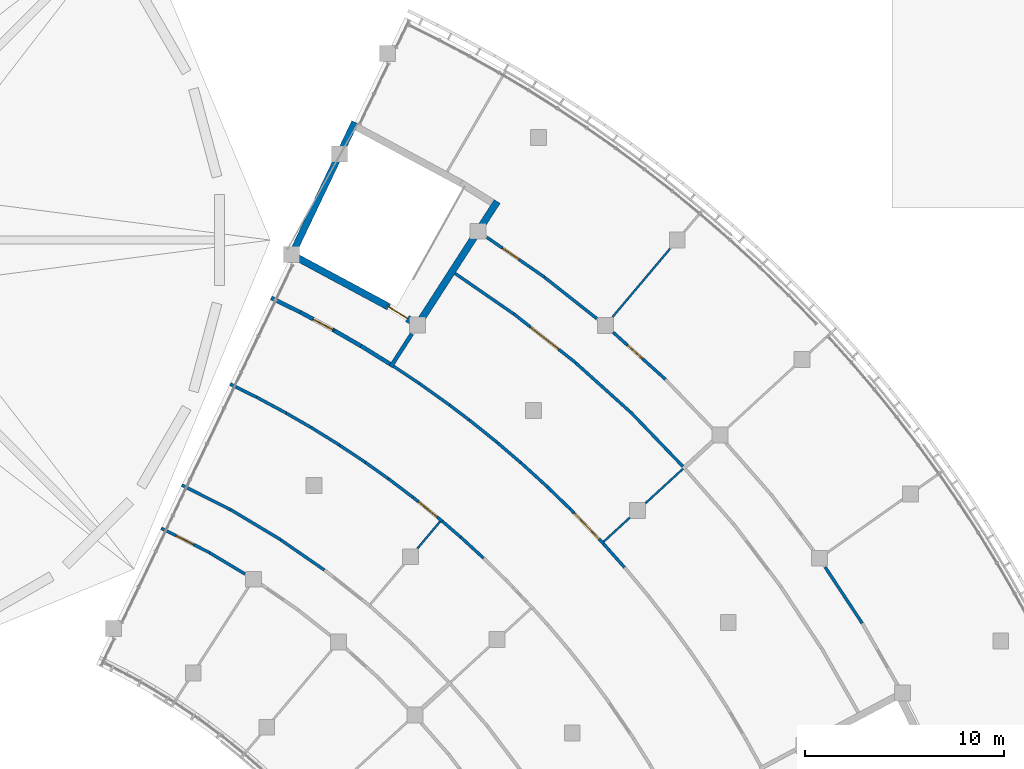
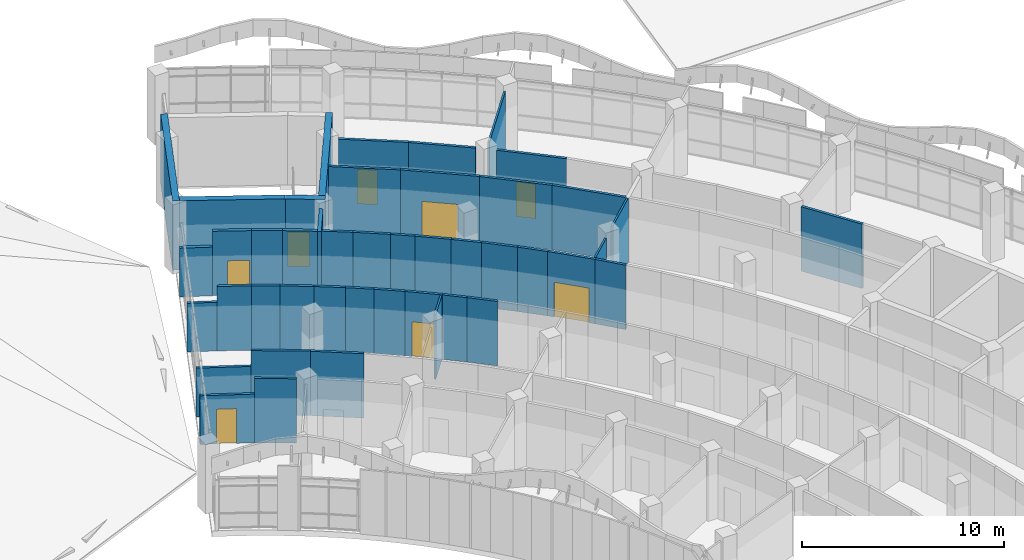
# One storey, part 68 of 137: 45 walls, 8 doors, 8 openings.
"""IFC4 building model written with IfcOpenShell, lengths in metres."""

from ifc_helpers import new_model, si_unit, direction, frame, frame_2d, origin, place, context, subcontext, project, spatial, rectangle, extrude, material, layer, layer_set, type_object, element, fill, save


model = new_model("IFC4")

# Units and contexts
model_context = context("Model", 3, precision=1e-05, world=origin(), true_north=direction((0.0, 1.0)))
body_context = subcontext(model_context, "Body", "Model", "MODEL_VIEW")
ifc_project = project(units=[si_unit("LENGTHUNIT", "METRE"), si_unit("AREAUNIT", "SQUARE_METRE"), si_unit("VOLUMEUNIT", "CUBIC_METRE"), si_unit("PLANEANGLEUNIT", "RADIAN"), si_unit("MASSUNIT", "GRAM", prefix="KILO")], contexts=[model_context])

# Site, building, storey
site_placement = place(None, origin())
site = spatial("IfcSite", under=ifc_project, at=site_placement, CompositionType="ELEMENT")
building_placement = place(site_placement, origin())
building = spatial("IfcBuilding", under=site, at=building_placement, Name="Bougainvillea Quay General Hospital", CompositionType="ELEMENT")
storey_placement = place(building_placement, frame((0.0, 0.0, 16.800048828125)))
storey = spatial("IfcBuildingStorey", under=building, at=storey_placement, Name="L03", CompositionType="ELEMENT", Elevation=16.800048828125)

# Walls
ifc_material_1 = material(Name="Gypsum board partition on steel studs", Category="steel")
ifc_layer_1 = layer(ifc_material_1, 0.10009765625)
ifc_layer_set_1 = layer_set([ifc_layer_1], Name="Gypsum board partition on steel studs")
wall_type_1 = type_object("IfcWallType", Name="Partition 100 Gypsum board partition", PredefinedType="PARTITIONING", material=ifc_layer_set_1)
wall_1_placement = place(storey_placement, frame((149.322998046875, 58.848388671875, 0.0), z_axis=(0.0, 0.0, 1.0), x_axis=(0.736546569723, 0.676386835051, 0.0)))
element("IfcWall", 1, at=wall_1_placement, inside=storey, type_object=wall_type_1, Name="Partition 100 mm", PredefinedType="PARTITIONING", context=body_context, shape_type="SweptSolid", body=[
    extrude(rectangle(XDim=1.78564453125, YDim=0.10009765625, at=frame_2d((0.892822265625, 0.0))), origin(), (0.0, 0.0, 1.0), 3.89990234375),
])
wall_2_placement = place(storey_placement, frame((151.4306640625, 60.783935546875, 0.0), z_axis=(0.0, 0.0, 1.0), x_axis=(0.736546419356, 0.676386998791, 0.0)))
element("IfcWall", 2, at=wall_2_placement, inside=storey, type_object=wall_type_1, Name="Partition 100 mm", PredefinedType="PARTITIONING", context=body_context, shape_type="SweptSolid", body=[
    extrude(rectangle(XDim=2.552734375, YDim=0.10009765625, at=frame_2d((1.2763671875, 0.0))), origin(), (0.0, 0.0, 1.0), 3.89990234375),
])
ifc_layer_2 = layer(ifc_material_1, 0.10009765625)
ifc_layer_set_2 = layer_set([ifc_layer_2], Name="Gypsum board partition on steel studs")
wall_type_2 = type_object("IfcWallType", Name="Partition 100 Gypsum board partition EI 30", PredefinedType="PARTITIONING", material=ifc_layer_set_2)
wall_3_placement = place(storey_placement, frame((149.775390625, 70.144287109375, 0.0), z_axis=(0.0, 0.0, 1.0), x_axis=(0.644456563642, 0.764640920681, 0.0)))
element("IfcWall", 3, at=wall_3_placement, inside=storey, type_object=wall_type_2, Name="Partition 100 mm EI 30", PredefinedType="PARTITIONING", context=body_context, shape_type="SweptSolid", body=[
    extrude(rectangle(XDim=4.47509765625, YDim=0.10009765625, at=frame_2d((2.237548828125, 0.0))), origin(), (0.0, 0.0, 1.0), 3.89990234375),
])
wall_4_placement = place(storey_placement, frame((139.98046875, 58.522216796875, 0.0), z_axis=(0.0, 0.0, 1.0), x_axis=(0.644495278204, 0.7646082895, 0.0)))
element("IfcWall", 4, at=wall_4_placement, inside=storey, type_object=wall_type_2, Name="Partition 100 mm EI 30", PredefinedType="PARTITIONING", context=body_context, shape_type="SweptSolid", body=[
    extrude(rectangle(XDim=1.756103515625, YDim=0.10009765625, at=frame_2d((0.8779296875, 0.0))), origin(), (0.0, 0.0, 1.0), 3.89990234375),
])
ifc_material_2 = material(Name="Gypsum board partition on steel studs, insulated", Category="steel")
ifc_layer_3 = layer(ifc_material_2, 0.14990234375)
ifc_layer_set_3 = layer_set([ifc_layer_3], Name="Gypsum board partition on steel studs, insulated")
wall_type_3 = type_object("IfcWallType", Name="Partition 150 Gypsum board partition EI 30", PredefinedType="PARTITIONING", material=ifc_layer_set_3)
wall_5_placement = place(storey_placement, frame((160.44775390625, 57.575439453125, 0.0), z_axis=(0.0, 0.0, 1.0), x_axis=(0.550814058929, -0.834627984485, 0.0)))
element("IfcWall", 5, at=wall_5_placement, inside=storey, type_object=wall_type_3, Name="Partition 150 mm EI 30", PredefinedType="PARTITIONING", context=body_context, shape_type="SweptSolid", body=[
    extrude(rectangle(XDim=3.38330078125, YDim=0.14990234375, at=frame_2d((1.691650390625, 0.0))), origin(), (0.0, 0.0, 1.0), 3.89990234375),
])

# Wall, opening, door
wall_6_placement = place(storey_placement, frame((149.79736328125, 69.36865234375, 0.0), z_axis=(0.0, 0.0, 1.0), x_axis=(0.743767308426, -0.668438621652, 0.0)))
wall_6 = element("IfcWall", 6, at=wall_6_placement, inside=storey, type_object=wall_type_3, Name="Partition 150 mm EI 30", PredefinedType="PARTITIONING", context=body_context, shape_type="SweptSolid", body=[
    extrude(rectangle(XDim=3.5390625, YDim=0.14990234375, at=frame_2d((1.76953125, 0.0))), origin(), (0.0, 0.0, 1.0), 3.89990234375),
])
opening_1_placement = place(wall_6_placement, frame((0.973876953125, 0.0, 0.0)))
opening_1 = element("IfcOpeningElement", 7, at=opening_1_placement, cuts=wall_6, Name="Opening L03.183", PredefinedType="OPENING", context=body_context, shape_type="SweptSolid", body=[
    extrude(rectangle(XDim=1.0, YDim=2.10009765625, at=frame_2d((0.5, 1.050048828125))), frame((0.0, 0.0849609375, 0.0), z_axis=(0.0, -1.0, 0.0), x_axis=(1.0, 0.0, 0.0)), (0.0, 0.0, 1.0), 0.169921875),
])
ifc_material_3 = material(Name="Solid-core timber door leaf in steel frame", Category="steel")
door_type_1 = type_object("IfcDoorType", Name="Single leaf door 1000x2100 FD30S", OperationType="NOTDEFINED", PredefinedType="DOOR", material=ifc_material_3)
door_1_placement = place(opening_1_placement, origin())
door_1 = element("IfcDoor", 8, at=door_1_placement, inside=storey, type_object=door_type_1, Name="DT15 L03.183", OperationType="SINGLE_SWING_LEFT", OverallHeight=2.10009765625, OverallWidth=1.0, PredefinedType="DOOR", context=body_context, shape_type="SweptSolid", body=[
    extrude(rectangle(XDim=1.0, YDim=2.10009765625, at=frame_2d((0.5, 1.050048828125))), frame((0.0, 0.02490234375, 0.0), z_axis=(0.0, -1.0, 0.0), x_axis=(1.0, 0.0, 0.0)), (0.0, 0.0, 1.0), 0.050048828125),
])
fill(opening_1, door_1)

wall_7_placement = place(storey_placement, frame((143.455810546875, 74.138671875, 0.0), z_axis=(0.0, 0.0, 1.0), x_axis=(0.822701427784, -0.568473711549, 0.0)))
wall_7 = element("IfcWall", 9, at=wall_7_placement, inside=storey, type_object=wall_type_3, Name="Partition 150 mm EI 30", PredefinedType="PARTITIONING", context=body_context, shape_type="SweptSolid", body=[
    extrude(rectangle(XDim=3.5185546875, YDim=0.14990234375, at=frame_2d((1.75927734375, 0.0))), origin(), (0.0, 0.0, 1.0), 3.89990234375),
])
opening_2_placement = place(wall_7_placement, frame((0.953369140625, 0.0, 0.0)))
opening_2 = element("IfcOpeningElement", 10, at=opening_2_placement, cuts=wall_7, Name="Opening L03.182", PredefinedType="OPENING", context=body_context, shape_type="SweptSolid", body=[
    extrude(rectangle(XDim=1.0, YDim=2.10009765625, at=frame_2d((0.5, 1.050048828125))), frame((0.0, 0.0849609375, 0.0), z_axis=(0.0, -1.0, 0.0), x_axis=(1.0, 0.0, 0.0)), (0.0, 0.0, 1.0), 0.169921875),
])
door_2_placement = place(opening_2_placement, origin())
door_2 = element("IfcDoor", 11, at=door_2_placement, inside=storey, type_object=door_type_1, Name="DT15 L03.182", OperationType="SINGLE_SWING_LEFT", OverallHeight=2.10009765625, OverallWidth=1.0, PredefinedType="DOOR", context=body_context, shape_type="SweptSolid", body=[
    extrude(rectangle(XDim=1.0, YDim=2.10009765625, at=frame_2d((0.5, 1.050048828125))), frame((0.0, 0.02490234375, 0.0), z_axis=(0.0, -1.0, 0.0), x_axis=(1.0, 0.0, 0.0)), (0.0, 0.0, 1.0), 0.050048828125),
])
fill(opening_2, door_2)

# Wall
wall_8_placement = place(storey_placement, frame((146.34423828125, 72.13720703125, 0.0), z_axis=(0.0, 0.0, 1.0), x_axis=(0.784832511111, -0.619707938874, 0.0)))
element("IfcWall", 12, at=wall_8_placement, inside=storey, type_object=wall_type_3, Name="Partition 150 mm EI 30", PredefinedType="PARTITIONING", context=body_context, shape_type="SweptSolid", body=[
    extrude(rectangle(XDim=3.357666015625, YDim=0.14990234375, at=frame_2d((1.6787109375, 0.0))), origin(), (0.0, 0.0, 1.0), 3.89990234375),
])

# Wall, opening, door
wall_9_placement = place(storey_placement, frame((144.802978515625, 70.297607421875, 0.0), z_axis=(0.0, 0.0, 1.0), x_axis=(0.784917321289, -0.619600515445, 0.0)))
wall_9 = element("IfcWall", 13, at=wall_9_placement, inside=storey, type_object=wall_type_3, Name="Partition 150 mm EI 30", PredefinedType="PARTITIONING", context=body_context, shape_type="SweptSolid", body=[
    extrude(rectangle(XDim=3.978515625, YDim=0.14990234375, at=frame_2d((1.9892578125, 0.0))), origin(), (0.0, 0.0, 1.0), 3.89990234375),
])
opening_3_placement = place(wall_9_placement, frame((1.089111328125, 0.0, 0.0)))
opening_3 = element("IfcOpeningElement", 14, at=opening_3_placement, cuts=wall_9, Name="Opening L03.145", PredefinedType="OPENING", context=body_context, shape_type="SweptSolid", body=[
    extrude(rectangle(XDim=1.800048828125, YDim=2.10009765625, at=frame_2d((0.89990234375, 1.050048828125))), frame((0.0, 0.0849609375, 0.0), z_axis=(0.0, -1.0, 0.0), x_axis=(1.0, 0.0, 0.0)), (0.0, 0.0, 1.0), 0.169921875),
])
ifc_material_4 = material(Name="Solid-core timber door leaves in steel frame", Category="steel")
door_type_2 = type_object("IfcDoorType", Name="Double leaf door 1800x2100", OperationType="DOUBLE_DOOR_SINGLE_SWING", PredefinedType="DOOR", material=ifc_material_4)
door_3_placement = place(opening_3_placement, origin())
door_3 = element("IfcDoor", 15, at=door_3_placement, inside=storey, type_object=door_type_2, Name="DT08 L03.145", OperationType="DOUBLE_DOOR_SINGLE_SWING", OverallHeight=2.10009765625, OverallWidth=1.800048828125, PredefinedType="DOOR", context=body_context, shape_type="SweptSolid", body=[
    extrude(rectangle(XDim=1.800048828125, YDim=2.10009765625, at=frame_2d((0.89990234375, 1.050048828125))), frame((0.0, 0.02490234375, 0.0), z_axis=(0.0, -1.0, 0.0), x_axis=(1.0, 0.0, 0.0)), (0.0, 0.0, 1.0), 0.050048828125),
])
fill(opening_3, door_3)

# Walls
wall_10_placement = place(storey_placement, frame((141.85888671875, 72.326171875, 0.0), z_axis=(0.0, 0.0, 1.0), x_axis=(0.822680463987, -0.568504049391, 0.0)))
element("IfcWall", 16, at=wall_10_placement, inside=storey, type_object=wall_type_3, Name="Partition 150 mm EI 30", PredefinedType="PARTITIONING", context=body_context, shape_type="SweptSolid", body=[
    extrude(rectangle(XDim=3.579833984375, YDim=0.14990234375, at=frame_2d((1.7900390625, 0.0))), origin(), (0.0, 0.0, 1.0), 3.89990234375),
])
wall_11_placement = place(storey_placement, frame((150.660888671875, 65.3740234375, 0.0), z_axis=(0.0, 0.0, 1.0), x_axis=(0.693403633232, -0.720549374728, 0.0)))
element("IfcWall", 17, at=wall_11_placement, inside=storey, type_object=wall_type_3, Name="Partition 150 mm EI 30", PredefinedType="PARTITIONING", context=body_context, shape_type="SweptSolid", body=[
    extrude(rectangle(XDim=3.804443359375, YDim=0.14990234375, at=frame_2d((1.90234375, 0.0))), origin(), (0.0, 0.0, 1.0), 3.89990234375),
])
wall_12_placement = place(storey_placement, frame((147.91943359375, 67.831787109375, 0.0), z_axis=(0.0, 0.0, 1.0), x_axis=(0.743593711798, -0.668631731056, 0.0)))
element("IfcWall", 18, at=wall_12_placement, inside=storey, type_object=wall_type_3, Name="Partition 150 mm EI 30", PredefinedType="PARTITIONING", context=body_context, shape_type="SweptSolid", body=[
    extrude(rectangle(XDim=3.686767578125, YDim=0.14990234375, at=frame_2d((1.84326171875, 0.0))), origin(), (0.0, 0.0, 1.0), 3.89990234375),
])
wall_13_placement = place(storey_placement, frame((130.57177734375, 60.463623046875, 0.0), z_axis=(0.0, 0.0, 1.0), x_axis=(0.857369075188, -0.514702116676, 0.0)))
element("IfcWall", 19, at=wall_13_placement, inside=storey, type_object=wall_type_3, Name="Partition 150 mm EI 30", PredefinedType="PARTITIONING", context=body_context, shape_type="SweptSolid", body=[
    extrude(rectangle(XDim=2.95751953125, YDim=0.14990234375, at=frame_2d((1.478759765625, 0.0))), origin(), (0.0, 0.0, 1.0), 3.89990234375),
])
wall_14_placement = place(storey_placement, frame((133.100830078125, 58.93994140625, 0.0), z_axis=(0.0, 0.0, 1.0), x_axis=(0.822620530797, -0.568590768754, 0.0)))
element("IfcWall", 20, at=wall_14_placement, inside=storey, type_object=wall_type_3, Name="Partition 150 mm EI 30", PredefinedType="PARTITIONING", context=body_context, shape_type="SweptSolid", body=[
    extrude(rectangle(XDim=2.666015625, YDim=0.14990234375, at=frame_2d((1.3330078125, 0.0))), origin(), (0.0, 0.0, 1.0), 3.89990234375),
])
wall_15_placement = place(storey_placement, frame((128.132080078125, 61.69189453125, 0.0), z_axis=(0.0, 0.0, 1.0), x_axis=(0.892275475515, -0.45149139061, 0.0)))
element("IfcWall", 21, at=wall_15_placement, inside=storey, type_object=wall_type_3, Name="Partition 150 mm EI 30", PredefinedType="PARTITIONING", context=body_context, shape_type="SweptSolid", body=[
    extrude(rectangle(XDim=2.736083984375, YDim=0.14990234375, at=frame_2d((1.3681640625, 0.0))), origin(), (0.0, 0.0, 1.0), 2.94677734375),
])

# Wall, opening, door
wall_16_placement = place(storey_placement, frame((127.09912109375, 59.527099609375, 0.0), z_axis=(0.0, 0.0, 1.0), x_axis=(0.892287657908, -0.451467313928, 0.0)))
wall_16 = element("IfcWall", 22, at=wall_16_placement, inside=storey, type_object=wall_type_3, Name="Partition 150 mm EI 30", PredefinedType="PARTITIONING", context=body_context, shape_type="SweptSolid", body=[
    extrude(rectangle(XDim=2.728759765625, YDim=0.14990234375, at=frame_2d((1.3642578125, 0.0))), origin(), (0.0, 0.0, 1.0), 2.94677734375),
])
opening_4_placement = place(wall_16_placement, frame((0.826904296875, 0.0, 0.0)))
opening_4 = element("IfcOpeningElement", 23, at=opening_4_placement, cuts=wall_16, Name="Opening L03.188", PredefinedType="OPENING", context=body_context, shape_type="SweptSolid", body=[
    extrude(rectangle(XDim=1.0, YDim=2.10009765625, at=frame_2d((0.5, 1.050048828125))), frame((0.0, 0.0849609375, 0.0), z_axis=(0.0, -1.0, 0.0), x_axis=(1.0, 0.0, 0.0)), (0.0, 0.0, 1.0), 0.169921875),
])
door_4_placement = place(opening_4_placement, frame((1.0, 0.0, 0.0), z_axis=(0.0, 0.0, 1.0), x_axis=(-1.0, 0.0, 0.0)))
door_4 = element("IfcDoor", 24, at=door_4_placement, inside=storey, type_object=door_type_1, Name="DT15 L03.188", OperationType="SINGLE_SWING_RIGHT", OverallHeight=2.10009765625, OverallWidth=1.0, PredefinedType="DOOR", context=body_context, shape_type="SweptSolid", body=[
    extrude(rectangle(XDim=1.0, YDim=2.10009765625, at=frame_2d((0.5, 1.050048828125))), frame((0.0, 0.02490234375, 0.0), z_axis=(0.0, -1.0, 0.0), x_axis=(1.0, 0.0, 0.0)), (0.0, 0.0, 1.0), 0.050048828125),
])
fill(opening_4, door_4)

# Wall
wall_17_placement = place(storey_placement, frame((129.52685546875, 58.29296875, 0.0), z_axis=(0.0, 0.0, 1.0), x_axis=(0.8573370195, -0.514755509922, 0.0)))
element("IfcWall", 25, at=wall_17_placement, inside=storey, type_object=wall_type_3, Name="Partition 150 mm EI 30", PredefinedType="PARTITIONING", context=body_context, shape_type="SweptSolid", body=[
    extrude(rectangle(XDim=2.072998046875, YDim=0.14990234375, at=frame_2d((1.03662109375, 0.0))), origin(), (0.0, 0.0, 1.0), 3.89990234375),
])

# Wall, opening, door
wall_18_placement = place(storey_placement, frame((147.614990234375, 60.521240234375, 0.0), z_axis=(0.0, 0.0, 1.0), x_axis=(0.691827849504, -0.722062481127, 0.0)))
wall_18 = element("IfcWall", 26, at=wall_18_placement, inside=storey, type_object=wall_type_3, Name="Partition 150 mm EI 30", PredefinedType="PARTITIONING", context=body_context, shape_type="SweptSolid", body=[
    extrude(rectangle(XDim=2.462890625, YDim=0.14990234375, at=frame_2d((1.2314453125, 0.0))), origin(), (0.0, 0.0, 1.0), 3.89990234375),
])
opening_5_placement = place(wall_18_placement, frame((0.331298828125, 0.0, 0.0)))
opening_5 = element("IfcOpeningElement", 27, at=opening_5_placement, cuts=wall_18, Name="Opening L03.159", PredefinedType="OPENING", context=body_context, shape_type="SweptSolid", body=[
    extrude(rectangle(XDim=1.800048828125, YDim=2.10009765625, at=frame_2d((0.89990234375, 1.050048828125))), frame((0.0, 0.0849609375, 0.0), z_axis=(0.0, -1.0, 0.0), x_axis=(1.0, 0.0, 0.0)), (0.0, 0.0, 1.0), 0.169921875),
])
door_5_placement = place(opening_5_placement, frame((1.800048828125, 0.0, 0.0), z_axis=(0.0, 0.0, 1.0), x_axis=(-1.0, 0.0, 0.0)))
door_5 = element("IfcDoor", 28, at=door_5_placement, inside=storey, type_object=door_type_2, Name="DT08 L03.159", OperationType="DOUBLE_DOOR_SINGLE_SWING", OverallHeight=2.10009765625, OverallWidth=1.800048828125, PredefinedType="DOOR", context=body_context, shape_type="SweptSolid", body=[
    extrude(rectangle(XDim=1.800048828125, YDim=2.10009765625, at=frame_2d((0.89990234375, 1.050048828125))), frame((0.0, 0.02490234375, 0.0), z_axis=(0.0, -1.0, 0.0), x_axis=(1.0, 0.0, 0.0)), (0.0, 0.0, 1.0), 0.050048828125),
])
fill(opening_5, door_5)

wall_19_placement = place(storey_placement, frame((139.75, 61.074462890625, 0.0), z_axis=(0.0, 0.0, 1.0), x_axis=(0.774713973469, -0.63231183708, 0.0)))
wall_19 = element("IfcWall", 29, at=wall_19_placement, inside=storey, type_object=wall_type_3, Name="Partition 150 mm EI 30", PredefinedType="PARTITIONING", context=body_context, shape_type="SweptSolid", body=[
    extrude(rectangle(XDim=1.896240234375, YDim=0.14990234375, at=frame_2d((0.9482421875, 0.0))), origin(), (0.0, 0.0, 1.0), 3.89990234375),
])
opening_6_placement = place(wall_19_placement, frame((0.34814453125, 0.0, 0.0)))
opening_6 = element("IfcOpeningElement", 30, at=opening_6_placement, cuts=wall_19, Name="Opening L03.162", PredefinedType="OPENING", context=body_context, shape_type="SweptSolid", body=[
    extrude(rectangle(XDim=1.199951171875, YDim=2.10009765625, at=frame_2d((0.60009765625, 1.050048828125))), frame((0.0, 0.0849609375, 0.0), z_axis=(0.0, -1.0, 0.0), x_axis=(1.0, 0.0, 0.0)), (0.0, 0.0, 1.0), 0.169921875),
])
door_type_3 = type_object("IfcDoorType", Name="Single leaf door 1200x2100", OperationType="NOTDEFINED", PredefinedType="DOOR", material=ifc_material_3)
door_6_placement = place(opening_6_placement, origin())
door_6 = element("IfcDoor", 31, at=door_6_placement, inside=storey, type_object=door_type_3, Name="DT13 L03.162", OperationType="SINGLE_SWING_RIGHT", OverallHeight=2.10009765625, OverallWidth=1.199951171875, PredefinedType="DOOR", context=body_context, shape_type="SweptSolid", body=[
    extrude(rectangle(XDim=1.199951171875, YDim=2.10009765625, at=frame_2d((0.60009765625, 1.050048828125))), frame((0.0, 0.02490234375, 0.0), z_axis=(0.0, -1.0, 0.0), x_axis=(1.0, 0.0, 0.0)), (0.0, 0.0, 1.0), 0.050048828125),
])
fill(opening_6, door_6)

# Walls
wall_20_placement = place(storey_placement, frame((140.06103515625, 66.800537109375, 0.0), z_axis=(0.0, 0.0, 1.0), x_axis=(0.81360220793, -0.581421918448, 0.0)))
element("IfcWall", 32, at=wall_20_placement, inside=storey, type_object=wall_type_3, Name="Partition 150 mm EI 30", PredefinedType="PARTITIONING", context=body_context, shape_type="SweptSolid", body=[
    extrude(rectangle(XDim=1.88525390625, YDim=0.14990234375, at=frame_2d((0.942626953125, 0.0))), origin(), (0.0, 0.0, 1.0), 3.89990234375),
])
wall_21_placement = place(storey_placement, frame((149.31494140625, 58.742919921875, 0.0), z_axis=(0.0, 0.0, 1.0), x_axis=(0.664440066627, -0.747341553683, 0.0)))
element("IfcWall", 33, at=wall_21_placement, inside=storey, type_object=wall_type_3, Name="Partition 150 mm EI 30", PredefinedType="PARTITIONING", context=body_context, shape_type="SweptSolid", body=[
    extrude(rectangle(XDim=1.59033203125, YDim=0.14990234375, at=frame_2d((0.795166015625, 0.0))), origin(), (0.0, 0.0, 1.0), 3.89990234375),
])
wall_22_placement = place(storey_placement, frame((138.76416015625, 67.6640625, 0.0), z_axis=(0.0, 0.0, 1.0), x_axis=(0.831520299658, -0.555494366539, 0.0)))
element("IfcWall", 34, at=wall_22_placement, inside=storey, type_object=wall_type_3, Name="Partition 150 mm EI 30", PredefinedType="PARTITIONING", context=body_context, shape_type="SweptSolid", body=[
    extrude(rectangle(XDim=1.560302734375, YDim=0.14990234375, at=frame_2d((0.7802734375, 0.0))), origin(), (0.0, 0.0, 1.0), 3.89990234375),
])
for number, where, z_axis, x_axis, name in (
    (35, (142.565673828125, 64.968017578125, 0.0), (0.0, 0.0, 1.0), (0.779281308286, -0.626674271496, 0.0), "Partition 150 mm EI 30"),
    (36, (145.15869140625, 62.822509765625, 0.0), (0.0, 0.0, 1.0), (0.738981194843, -0.67372605239, 0.0), "Partition 150 mm EI 30"),
):
    element("IfcWall", number, at=place(storey_placement, frame(where, z_axis=z_axis, x_axis=x_axis)), inside=storey, type_object=wall_type_3, Name=name, PredefinedType="PARTITIONING", context=body_context, shape_type="SweptSolid", body=[
        extrude(rectangle(XDim=1.833251953125, YDim=0.14990234375, at=frame_2d((0.91650390625, 0.0))), origin(), (0.0, 0.0, 1.0), 3.89990234375),
    ])
wall_23_placement = place(storey_placement, frame((146.51025390625, 61.58740234375, 0.0), z_axis=(0.0, 0.0, 1.0), x_axis=(0.718287322607, -0.695746593367, 0.0)))
element("IfcWall", 37, at=wall_23_placement, inside=storey, type_object=wall_type_3, Name="Partition 150 mm EI 30", PredefinedType="PARTITIONING", context=body_context, shape_type="SweptSolid", body=[
    extrude(rectangle(XDim=1.5380859375, YDim=0.14990234375, at=frame_2d((0.76904296875, 0.0))), origin(), (0.0, 0.0, 1.0), 3.89990234375),
])
wall_24_placement = place(storey_placement, frame((143.9912109375, 63.818603515625, 0.0), z_axis=(0.0, 0.0, 1.0), x_axis=(0.75971620126, -0.65025479125, 0.0)))
element("IfcWall", 38, at=wall_24_placement, inside=storey, type_object=wall_type_3, Name="Partition 150 mm EI 30", PredefinedType="PARTITIONING", context=body_context, shape_type="SweptSolid", body=[
    extrude(rectangle(XDim=1.53662109375, YDim=0.14990234375, at=frame_2d((0.768310546875, 0.0))), origin(), (0.0, 0.0, 1.0), 3.89990234375),
])
wall_25_placement = place(storey_placement, frame((138.50634765625, 62.015380859375, 0.0), z_axis=(0.0, 0.0, 1.0), x_axis=(0.7964030968, -0.604766159278, 0.0)))
element("IfcWall", 39, at=wall_25_placement, inside=storey, type_object=wall_type_3, Name="Partition 150 mm EI 30", PredefinedType="PARTITIONING", context=body_context, shape_type="SweptSolid", body=[
    extrude(rectangle(XDim=1.56201171875, YDim=0.14990234375, at=frame_2d((0.781005859375, 0.0))), origin(), (0.0, 0.0, 1.0), 3.89990234375),
])
wall_26_placement = place(storey_placement, frame((134.609375, 64.597412109375, 0.0), z_axis=(0.0, 0.0, 1.0), x_axis=(0.849799037667, -0.527106816102, 0.0)))
element("IfcWall", 40, at=wall_26_placement, inside=storey, type_object=wall_type_3, Name="Partition 150 mm EI 30", PredefinedType="PARTITIONING", context=body_context, shape_type="SweptSolid", body=[
    extrude(rectangle(XDim=1.708984375, YDim=0.14990234375, at=frame_2d((0.8544921875, 0.0))), origin(), (0.0, 0.0, 1.0), 3.89990234375),
])
wall_27_placement = place(storey_placement, frame((131.8828125, 66.110595703125, 0.0), z_axis=(0.0, 0.0, 1.0), x_axis=(0.881203803206, -0.472736562174, 0.0)))
element("IfcWall", 41, at=wall_27_placement, inside=storey, type_object=wall_type_3, Name="Partition 150 mm EI 30", PredefinedType="PARTITIONING", context=body_context, shape_type="SweptSolid", body=[
    extrude(rectangle(XDim=1.70947265625, YDim=0.14990234375, at=frame_2d((0.854736328125, 0.0))), origin(), (0.0, 0.0, 1.0), 3.89990234375),
])
wall_28_placement = place(storey_placement, frame((133.385986328125, 65.301513671875, 0.0), z_axis=(0.0, 0.0, 1.0), x_axis=(0.865938212252, -0.500150989765, 0.0)))
element("IfcWall", 42, at=wall_28_placement, inside=storey, type_object=wall_type_3, Name="Partition 150 mm EI 30", PredefinedType="PARTITIONING", context=body_context, shape_type="SweptSolid", body=[
    extrude(rectangle(XDim=1.41357421875, YDim=0.14990234375, at=frame_2d((0.706787109375, 0.0))), origin(), (0.0, 0.0, 1.0), 3.89990234375),
])
wall_29_placement = place(storey_placement, frame((142.143798828125, 59.076904296875, 0.0), z_axis=(0.0, 0.0, 1.0), x_axis=(0.735666067582, -0.677344400588, 0.0)))
element("IfcWall", 43, at=wall_29_placement, inside=storey, type_object=wall_type_3, Name="Partition 150 mm EI 30", PredefinedType="PARTITIONING", context=body_context, shape_type="SweptSolid", body=[
    extrude(rectangle(XDim=1.5615234375, YDim=0.14990234375, at=frame_2d((0.78076171875, 0.0))), origin(), (0.0, 0.0, 1.0), 3.89990234375),
])
wall_30_placement = place(storey_placement, frame((136.05859375, 63.69580078125, 0.0), z_axis=(0.0, 0.0, 1.0), x_axis=(0.832723443957, -0.553689141925, 0.0)))
element("IfcWall", 44, at=wall_30_placement, inside=storey, type_object=wall_type_3, Name="Partition 150 mm EI 30", PredefinedType="PARTITIONING", context=body_context, shape_type="SweptSolid", body=[
    extrude(rectangle(XDim=1.560791015625, YDim=0.14990234375, at=frame_2d((0.7802734375, 0.0))), origin(), (0.0, 0.0, 1.0), 3.89990234375),
])
wall_31_placement = place(storey_placement, frame((130.552978515625, 66.76806640625, 0.0), z_axis=(0.0, 0.0, 1.0), x_axis=(0.895705209278, -0.444648375767, 0.0)))
element("IfcWall", 45, at=wall_31_placement, inside=storey, type_object=wall_type_3, Name="Partition 150 mm EI 30", PredefinedType="PARTITIONING", context=body_context, shape_type="SweptSolid", body=[
    extrude(rectangle(XDim=1.48583984375, YDim=0.14990234375, at=frame_2d((0.742919921875, 0.0))), origin(), (0.0, 0.0, 1.0), 2.94677734375),
])
wall_32_placement = place(storey_placement, frame((137.355224609375, 62.830810546875, 0.0), z_axis=(0.0, 0.0, 1.0), x_axis=(0.815004293048, -0.579454918276, 0.0)))
element("IfcWall", 46, at=wall_32_placement, inside=storey, type_object=wall_type_3, Name="Partition 150 mm EI 30", PredefinedType="PARTITIONING", context=body_context, shape_type="SweptSolid", body=[
    extrude(rectangle(XDim=1.41259765625, YDim=0.14990234375, at=frame_2d((0.706298828125, 0.0))), origin(), (0.0, 0.0, 1.0), 3.89990234375),
])
wall_33_placement = place(storey_placement, frame((141.21630859375, 59.875244140625, 0.0), z_axis=(0.0, 0.0, 1.0), x_axis=(0.756608072265, -0.653868660347, 0.0)))
element("IfcWall", 47, at=wall_33_placement, inside=storey, type_object=wall_type_3, Name="Partition 150 mm EI 30", PredefinedType="PARTITIONING", context=body_context, shape_type="SweptSolid", body=[
    extrude(rectangle(XDim=1.22607421875, YDim=0.14990234375, at=frame_2d((0.613037109375, 0.0))), origin(), (0.0, 0.0, 1.0), 3.89990234375),
])
wall_34_placement = place(storey_placement, frame((141.592041015625, 65.703857421875, 0.0), z_axis=(0.0, 0.0, 1.0), x_axis=(0.79670453549, -0.604368995837, 0.0)))
element("IfcWall", 48, at=wall_34_placement, inside=storey, type_object=wall_type_3, Name="Partition 150 mm EI 30", PredefinedType="PARTITIONING", context=body_context, shape_type="SweptSolid", body=[
    extrude(rectangle(XDim=1.222412109375, YDim=0.14990234375, at=frame_2d((0.611328125, 0.0))), origin(), (0.0, 0.0, 1.0), 3.89990234375),
])
ifc_material_5 = material(Name="Fire-rated autoclaved aerated block wall, plastered")
ifc_layer_4 = layer(ifc_material_5, 0.199951171875)
ifc_layer_set_4 = layer_set([ifc_layer_4], Name="Fire-rated autoclaved aerated block wall, plastered")
wall_type_4 = type_object("IfcWallType", Name="Partition 200 Fire-rated autoclaved aerated block wall EI 120", PredefinedType="SOLIDWALL", material=ifc_layer_set_4)
wall_35_placement = place(storey_placement, frame((138.624755859375, 67.636962890625, 0.0), z_axis=(0.0, 0.0, 1.0), x_axis=(0.541789312023, 0.840514331453, 0.0)))
element("IfcWall", 49, at=wall_35_placement, inside=storey, type_object=wall_type_4, Name="Partition 200 mm EI 120", PredefinedType="SOLIDWALL", context=body_context, shape_type="SweptSolid", body=[
    extrude(rectangle(XDim=1.960693359375, YDim=0.199951171875, at=frame_2d((0.98046875, 0.0))), origin(), (0.0, 0.0, 1.0), 3.89990234375),
])
wall_36_placement = place(storey_placement, frame((137.1201171875, 68.69091796875, 0.0), z_axis=(0.0, 0.0, 1.0), x_axis=(0.849072037542, -0.528277081714, 0.0)))
element("IfcWall", 50, at=wall_36_placement, inside=storey, type_object=wall_type_4, Name="Partition 200 mm EI 120", PredefinedType="SOLIDWALL", context=body_context, shape_type="SweptSolid", body=[
    extrude(rectangle(XDim=1.734375, YDim=0.199951171875, at=frame_2d((0.8671875, 0.0))), origin(), (0.0, 0.0, 1.0), 3.89990234375),
])

# Wall, opening, door
wall_37_placement = place(storey_placement, frame((134.0859375, 70.37646484375, 0.0), z_axis=(0.0, 0.0, 1.0), x_axis=(0.880766540035, -0.473550738521, 0.0)))
wall_37 = element("IfcWall", 51, at=wall_37_placement, inside=storey, type_object=wall_type_4, Name="Partition 200 mm EI 120", PredefinedType="SOLIDWALL", context=body_context, shape_type="SweptSolid", body=[
    extrude(rectangle(XDim=1.935791015625, YDim=0.199951171875, at=frame_2d((0.9677734375, 0.0))), origin(), (0.0, 0.0, 1.0), 3.89990234375),
])
opening_7_placement = place(wall_37_placement, frame((0.736083984375, 0.0, 0.0)))
opening_7 = element("IfcOpeningElement", 52, at=opening_7_placement, cuts=wall_37, Name="Opening L03.232", PredefinedType="OPENING", context=body_context, shape_type="SweptSolid", body=[
    extrude(rectangle(XDim=1.10009765625, YDim=2.10009765625, at=frame_2d((0.550048828125, 1.050048828125))), frame((0.0, 0.10986328125, 0.0), z_axis=(0.0, -1.0, 0.0), x_axis=(1.0, 0.0, 0.0)), (0.0, 0.0, 1.0), 0.219970703125),
])
ifc_material_6 = material(Name="Steel fire door leaf in steel frame", Category="steel")
door_type_4 = type_object("IfcDoorType", Name="Steel single leaf door 1100x2100 FD60", OperationType="NOTDEFINED", PredefinedType="DOOR", material=ifc_material_6)
door_7_placement = place(opening_7_placement, origin())
door_7 = element("IfcDoor", 53, at=door_7_placement, inside=storey, type_object=door_type_4, Name="DT04 L03.232", OperationType="SINGLE_SWING_RIGHT", OverallHeight=2.10009765625, OverallWidth=1.10009765625, PredefinedType="DOOR", context=body_context, shape_type="SweptSolid", body=[
    extrude(rectangle(XDim=1.10009765625, YDim=2.10009765625, at=frame_2d((0.550048828125, 1.050048828125))), frame((0.0, 0.02490234375, 0.0), z_axis=(0.0, -1.0, 0.0), x_axis=(1.0, 0.0, 0.0)), (0.0, 0.0, 1.0), 0.050048828125),
])
fill(opening_7, door_7)

# Walls
wall_38_placement = place(storey_placement, frame((135.786865234375, 69.45849609375, 0.0), z_axis=(0.0, 0.0, 1.0), x_axis=(0.865559992514, -0.50080525093, 0.0)))
element("IfcWall", 54, at=wall_38_placement, inside=storey, type_object=wall_type_4, Name="Partition 200 mm EI 120", PredefinedType="SOLIDWALL", context=body_context, shape_type="SweptSolid", body=[
    extrude(rectangle(XDim=1.54150390625, YDim=0.199951171875, at=frame_2d((0.770751953125, 0.0))), origin(), (0.0, 0.0, 1.0), 3.89990234375),
])
wall_39_placement = place(storey_placement, frame((132.6201171875, 71.10107421875, 0.0), z_axis=(0.0, 0.0, 1.0), x_axis=(0.895527300844, -0.445006576855, 0.0)))
element("IfcWall", 55, at=wall_39_placement, inside=storey, type_object=wall_type_4, Name="Partition 200 mm EI 120", PredefinedType="SOLIDWALL", context=body_context, shape_type="SweptSolid", body=[
    extrude(rectangle(XDim=1.63818359375, YDim=0.199951171875, at=frame_2d((0.819091796875, 0.0))), origin(), (0.0, 0.0, 1.0), 2.94677734375),
])
ifc_material_7 = material(Name="Concrete C40", Category="concrete")
ifc_layer_5 = layer(ifc_material_7, 0.35009765625)
ifc_layer_set_5 = layer_set([ifc_layer_5], Name="Concrete C40")
wall_type_5 = type_object("IfcWallType", Name="RC SHEAR WALL 350 C40", PredefinedType="SHEAR", material=ifc_layer_set_5)
wall_40_placement = place(storey_placement, frame((133.57763671875, 73.109130859375, 0.0), z_axis=(0.0, 0.0, 1.0), x_axis=(0.430592498036, 0.90254645345, 0.0)))
element("IfcWall", 56, at=wall_40_placement, inside=storey, type_object=wall_type_5, Name="Shear wall L03", PredefinedType="SHEAR", context=body_context, shape_type="SweptSolid", body=[
    extrude(rectangle(XDim=7.549560546875, YDim=0.35009765625, at=frame_2d((3.77490234375, 0.0))), origin(), (0.0, 0.0, 1.0), 4.199951171875),
])
wall_41_placement = place(storey_placement, frame((138.43603515625, 70.69775390625, 0.0), z_axis=(0.0, 0.0, 1.0), x_axis=(-0.880959996263, 0.473190749048, 0.0)))
element("IfcWall", 57, at=wall_41_placement, inside=storey, type_object=wall_type_5, Name="Shear wall L03", PredefinedType="SHEAR", context=body_context, shape_type="SweptSolid", body=[
    extrude(rectangle(XDim=5.25439453125, YDim=0.35009765625, at=frame_2d((2.627197265625, 0.0))), origin(), (0.0, 0.0, 1.0), 4.199951171875),
])

# Wall, opening, door
wall_42_placement = place(storey_placement, frame((138.44580078125, 70.692138671875, 0.0), z_axis=(0.0, 0.0, 1.0), x_axis=(0.849028347245, -0.528347296363, 0.0)))
wall_42 = element("IfcWall", 58, at=wall_42_placement, inside=storey, type_object=wall_type_5, Name="Shear wall L03", PredefinedType="SHEAR", context=body_context, shape_type="SweptSolid", body=[
    extrude(rectangle(XDim=1.98095703125, YDim=0.35009765625, at=frame_2d((0.990478515625, 0.0))), origin(), (0.0, 0.0, 1.0), 4.199951171875),
])
opening_8_placement = place(wall_42_placement, frame((0.10009765625, 0.0, 0.0)))
opening_8 = element("IfcOpeningElement", 59, at=opening_8_placement, cuts=wall_42, Name="Opening L03.231", PredefinedType="OPENING", context=body_context, shape_type="SweptSolid", body=[
    extrude(rectangle(XDim=1.10009765625, YDim=2.10009765625, at=frame_2d((0.550048828125, 1.050048828125))), frame((0.0, 0.18505859375, 0.0), z_axis=(0.0, -1.0, 0.0), x_axis=(1.0, 0.0, 0.0)), (0.0, 0.0, 1.0), 0.3701171875),
])
door_8_placement = place(opening_8_placement, origin())
door_8 = element("IfcDoor", 60, at=door_8_placement, inside=storey, type_object=door_type_4, Name="DT04 L03.231", OperationType="SINGLE_SWING_LEFT", OverallHeight=2.10009765625, OverallWidth=1.10009765625, PredefinedType="DOOR", context=body_context, shape_type="SweptSolid", body=[
    extrude(rectangle(XDim=1.10009765625, YDim=2.10009765625, at=frame_2d((0.550048828125, 1.050048828125))), frame((0.0, 0.02490234375, 0.0), z_axis=(0.0, -1.0, 0.0), x_axis=(1.0, 0.0, 0.0)), (0.0, 0.0, 1.0), 0.050048828125),
])
fill(opening_8, door_8)

# Wall
wall_43_placement = place(storey_placement, frame((140.07373046875, 69.885009765625, 0.0), z_axis=(0.0, 0.0, 1.0), x_axis=(0.541951537975, 0.840409739643, 0.0)))
element("IfcWall", 61, at=wall_43_placement, inside=storey, type_object=wall_type_5, Name="Shear wall L03", PredefinedType="SHEAR", context=body_context, shape_type="SweptSolid", body=[
    extrude(rectangle(XDim=7.2001953125, YDim=0.35009765625, at=frame_2d((3.60009765625, 0.0))), origin(), (0.0, 0.0, 1.0), 4.199951171875),
])

save(model, "model.ifc")
